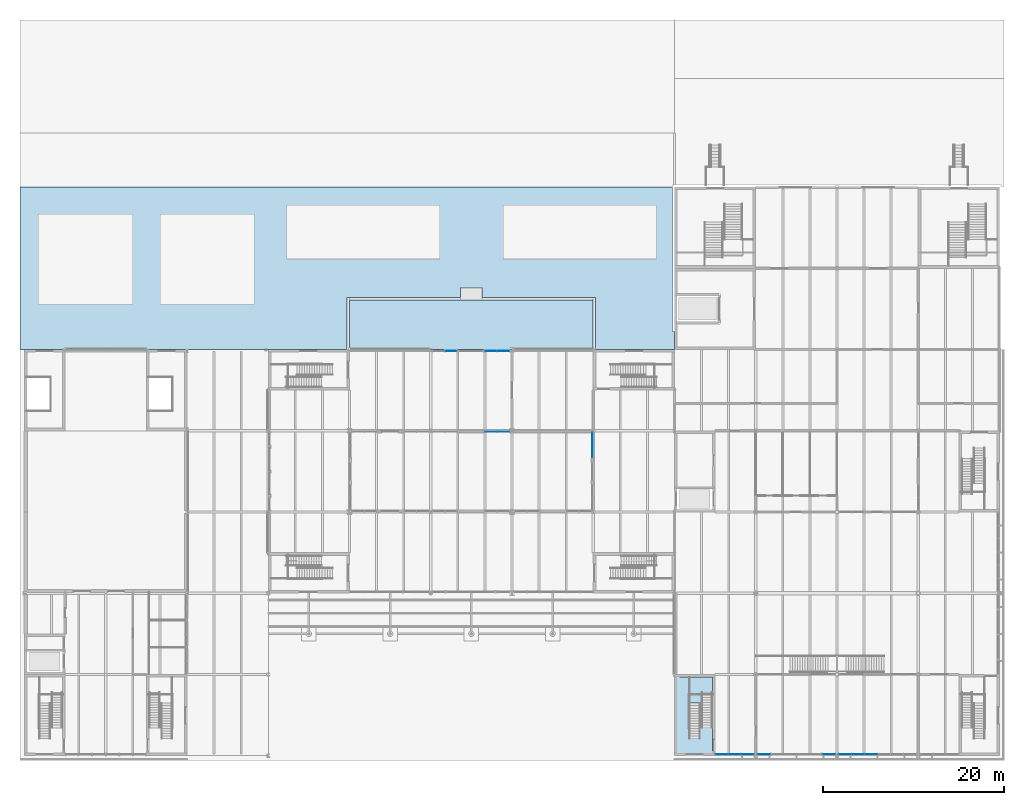
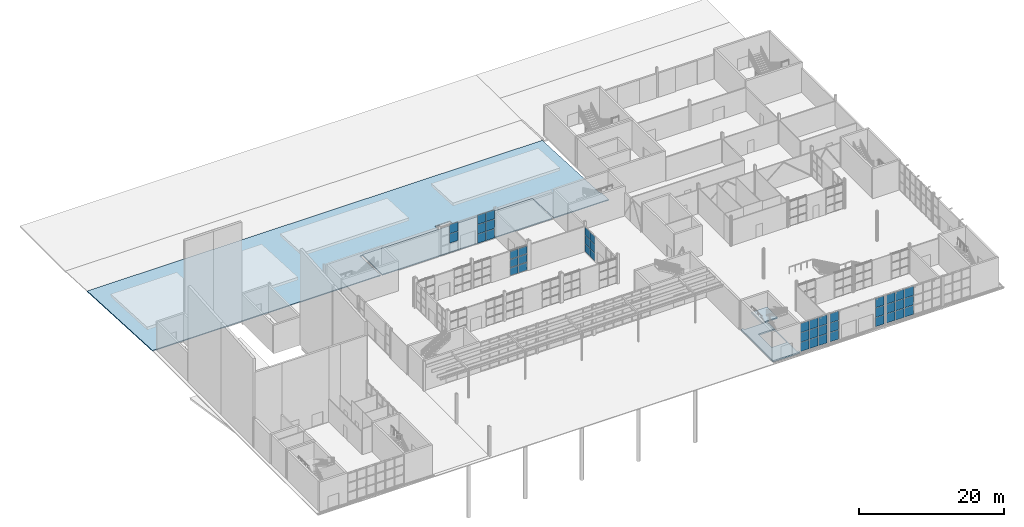
# One storey, part 32 of 63: 44 plates, 4 slabs, 9 elements without a shape of their own.
"""IFC4 building model written with IfcOpenShell, lengths in metres."""

from ifc_helpers import new_model, si_unit, direction, frame, origin, origin_2d, place, context, subcontext, project, spatial, polyline, rectangle, outline, extrude, material, layer, layer_set, type_object, element, aggregate, save


model = new_model("IFC4")

# Units and contexts
model_context = context("Model", 3, precision=1e-05, world=origin(), true_north=direction((0.0, 1.0)))
body_context = subcontext(model_context, "Body", "Model", "MODEL_VIEW")
ifc_project = project(units=[si_unit("LENGTHUNIT", "METRE"), si_unit("AREAUNIT", "SQUARE_METRE"), si_unit("VOLUMEUNIT", "CUBIC_METRE"), si_unit("PLANEANGLEUNIT", "RADIAN"), si_unit("MASSUNIT", "GRAM", prefix="KILO")], contexts=[model_context])

# Site, building, storey
site_placement = place(None, origin())
site = spatial("IfcSite", under=ifc_project, at=site_placement, CompositionType="ELEMENT")
building_placement = place(site_placement, origin())
building = spatial("IfcBuilding", under=site, at=building_placement, Name="Halyard Row Museum", CompositionType="ELEMENT")
storey_placement = place(building_placement, origin())
storey = spatial("IfcBuildingStorey", under=building, at=storey_placement, Name="L00", CompositionType="ELEMENT", Elevation=0.0)

# Slabs
ifc_material_1 = material(Name="Concrete 25 MPa", Category="concrete")
ifc_layer_1 = layer(ifc_material_1, 0.14990234375)
ifc_layer_set_1 = layer_set([ifc_layer_1], Name="Concrete 25 MPa")
slab_type_1 = type_object("IfcSlabType", Name="Cafe terrace slab 150", PredefinedType="BASESLAB", material=ifc_layer_set_1)
slab_1_placement = place(storey_placement, frame((0.0, 0.0, -0.14990234375)))
element("IfcSlab", 1, at=slab_1_placement, inside=storey, type_object=slab_type_1, Name="Cafe terrace slab", PredefinedType="BASESLAB", context=body_context, shape_type="SweptSolid", body=[
    extrude(outline(polyline([(36.0, 45.0), (63.0, 45.0), (63.0, 50.5), (36.0, 50.5), (36.0, 45.0)])), origin(), (0.0, 0.0, 1.0), 0.14990234375),
])
ifc_material_2 = material(Name="Concrete 40 MPa", Category="concrete")
ifc_layer_2 = layer(ifc_material_2, 0.25)
ifc_layer_set_2 = layer_set([ifc_layer_2], Name="Concrete 40 MPa")
slab_type_2 = type_object("IfcSlabType", Name="Core floor slab 250", PredefinedType="FLOOR", material=ifc_layer_set_2)
slab_2_placement = place(storey_placement, frame((0.0, 0.0, -0.25)))
element("IfcSlab", 2, at=slab_2_placement, inside=storey, type_object=slab_type_2, Name="Core floor K2A L00", PredefinedType="FLOOR", context=body_context, shape_type="SweptSolid", body=[
    extrude(outline(polyline([(76.199951171875, 0.550048828125), (76.199951171875, 8.699951171875), (72.550048828125, 8.699951171875), (72.550048828125, 8.9951171875), (72.199951171875, 8.9951171875), (72.199951171875, 0.199951171875), (76.4951171875, 0.199951171875), (76.4951171875, 0.550048828125), (76.199951171875, 0.550048828125)]), holes=[polyline([(73.653076171875, 6.737060546875), (76.197021484375, 6.737060546875), (76.197021484375, 3.10302734375), (73.653076171875, 3.10302734375), (73.653076171875, 6.737060546875)])]), origin(), (0.0, 0.0, 1.0), 0.25),
])

# Curtain wall, plates
ifc_material_3 = material(Name="Double glazed unit, low-emissivity", Category="glass")
ifc_layer_3 = layer(ifc_material_3, 0.199951171875)
ifc_layer_set_3 = layer_set([ifc_layer_3], Name="Double glazed unit, low-emissivity")
curtain_wall_type_1 = type_object("IfcCurtainWallType", Name="Curtain wall shopfront 200 deep", PredefinedType="NOTDEFINED", material=ifc_layer_set_3)
curtain_wall_1_placement = place(storey_placement, origin())
curtain_wall_1 = element("IfcCurtainWall", 3, at=curtain_wall_1_placement, inside=storey, type_object=curtain_wall_type_1, Name="Curtain wall CW009", PredefinedType="NOTDEFINED")
ifc_material_4 = material(Name="Double glazed unit, low-emissivity", Category="glass")
ifc_layer_4 = layer(ifc_material_4, 0.031982421875)
ifc_layer_set_4 = layer_set([ifc_layer_4], Name="Double glazed unit, low-emissivity")
plate_type_1 = type_object("IfcPlateType", Name="Curtain wall glazed panel CP1 32", PredefinedType="CURTAIN_PANEL", material=ifc_layer_set_4)
plate_1_placement = place(storey_placement, frame((53.03369140625, 44.85009765625, 0.06494140625), z_axis=(0.0, 0.0, 1.0), x_axis=(-1.0, 0.0, 0.0)))
plate_1 = element("IfcPlate", 4, at=plate_1_placement, type_object=plate_type_1, Name="CW009 panel 1.1", PredefinedType="CURTAIN_PANEL", context=body_context, shape_type="SweptSolid", body=[
    extrude(rectangle(XDim=1.302490234375, YDim=0.031982421875, at=origin_2d()), origin(), (0.0, 0.0, 1.0), 1.51416015625),
])
plate_2_placement = place(storey_placement, frame((53.03369140625, 44.85009765625, 1.64404296875), z_axis=(0.0, 0.0, 1.0), x_axis=(-1.0, 0.0, 0.0)))
plate_2 = element("IfcPlate", 5, at=plate_2_placement, type_object=plate_type_1, Name="CW009 panel 1.2", PredefinedType="CURTAIN_PANEL", context=body_context, shape_type="SweptSolid", body=[
    extrude(rectangle(XDim=1.302490234375, YDim=0.031982421875, at=origin_2d()), origin(), (0.0, 0.0, 1.0), 1.546630859375),
])
plate_3_placement = place(storey_placement, frame((53.03369140625, 44.85009765625, 3.255859375), z_axis=(0.0, 0.0, 1.0), x_axis=(-1.0, 0.0, 0.0)))
plate_3 = element("IfcPlate", 6, at=plate_3_placement, type_object=plate_type_1, Name="CW009 panel 1.3", PredefinedType="CURTAIN_PANEL", context=body_context, shape_type="SweptSolid", body=[
    extrude(rectangle(XDim=1.302490234375, YDim=0.031982421875, at=origin_2d()), origin(), (0.0, 0.0, 1.0), 1.51416015625),
])
plate_4_placement = place(storey_placement, frame((51.666259765625, 44.85009765625, 0.06494140625), z_axis=(0.0, 0.0, 1.0), x_axis=(-1.0, 0.0, 0.0)))
plate_4 = element("IfcPlate", 7, at=plate_4_placement, type_object=plate_type_1, Name="CW009 panel 2.1", PredefinedType="CURTAIN_PANEL", context=body_context, shape_type="SweptSolid", body=[
    extrude(rectangle(XDim=1.302490234375, YDim=0.031982421875, at=origin_2d()), origin(), (0.0, 0.0, 1.0), 1.51416015625),
])
plate_5_placement = place(storey_placement, frame((51.666259765625, 44.85009765625, 1.64404296875), z_axis=(0.0, 0.0, 1.0), x_axis=(-1.0, 0.0, 0.0)))
plate_5 = element("IfcPlate", 8, at=plate_5_placement, type_object=plate_type_1, Name="CW009 panel 2.2", PredefinedType="CURTAIN_PANEL", context=body_context, shape_type="SweptSolid", body=[
    extrude(rectangle(XDim=1.302490234375, YDim=0.031982421875, at=origin_2d()), origin(), (0.0, 0.0, 1.0), 1.546630859375),
])
plate_6_placement = place(storey_placement, frame((51.666259765625, 44.85009765625, 3.255859375), z_axis=(0.0, 0.0, 1.0), x_axis=(-1.0, 0.0, 0.0)))
plate_6 = element("IfcPlate", 9, at=plate_6_placement, type_object=plate_type_1, Name="CW009 panel 2.3", PredefinedType="CURTAIN_PANEL", context=body_context, shape_type="SweptSolid", body=[
    extrude(rectangle(XDim=1.302490234375, YDim=0.031982421875, at=origin_2d()), origin(), (0.0, 0.0, 1.0), 1.51416015625),
])
aggregate(curtain_wall_1, [plate_1, plate_2, plate_3, plate_4, plate_5, plate_6])

curtain_wall_2_placement = place(storey_placement, origin())
curtain_wall_2 = element("IfcCurtainWall", 10, at=curtain_wall_2_placement, inside=storey, type_object=curtain_wall_type_1, Name="Curtain wall CW010", PredefinedType="NOTDEFINED")
plate_7_placement = place(storey_placement, frame((47.233642578125, 44.85009765625, 1.64404296875), z_axis=(0.0, 0.0, 1.0), x_axis=(-1.0, 0.0, 0.0)))
plate_7 = element("IfcPlate", 11, at=plate_7_placement, type_object=plate_type_1, Name="CW010 panel 1.2", PredefinedType="CURTAIN_PANEL", context=body_context, shape_type="SweptSolid", body=[
    extrude(rectangle(XDim=1.302490234375, YDim=0.031982421875, at=origin_2d()), origin(), (0.0, 0.0, 1.0), 1.546630859375),
])
plate_8_placement = place(storey_placement, frame((47.233642578125, 44.85009765625, 3.255859375), z_axis=(0.0, 0.0, 1.0), x_axis=(-1.0, 0.0, 0.0)))
plate_8 = element("IfcPlate", 12, at=plate_8_placement, type_object=plate_type_1, Name="CW010 panel 1.3", PredefinedType="CURTAIN_PANEL", context=body_context, shape_type="SweptSolid", body=[
    extrude(rectangle(XDim=1.302490234375, YDim=0.031982421875, at=origin_2d()), origin(), (0.0, 0.0, 1.0), 1.51416015625),
])
aggregate(curtain_wall_2, [plate_7, plate_8])

ifc_material_5 = material(Name="Double glazed unit, low-emissivity", Category="glass")
ifc_layer_5 = layer(ifc_material_5, 0.179931640625)
ifc_layer_set_5 = layer_set([ifc_layer_5], Name="Double glazed unit, low-emissivity")
curtain_wall_type_2 = type_object("IfcCurtainWallType", Name="Curtain wall stick 180 deep", PredefinedType="NOTDEFINED", material=ifc_layer_set_5)
curtain_wall_3_placement = place(storey_placement, origin())
curtain_wall_3 = element("IfcCurtainWall", 13, at=curtain_wall_3_placement, inside=storey, type_object=curtain_wall_type_2, Name="Curtain wall CW133", PredefinedType="NOTDEFINED")
ifc_material_6 = material(Name="Double glazed unit, low-emissivity", Category="glass")
ifc_layer_6 = layer(ifc_material_6, 0.028076171875)
ifc_layer_set_6 = layer_set([ifc_layer_6], Name="Double glazed unit, low-emissivity")
plate_type_2 = type_object("IfcPlateType", Name="Curtain wall glazed panel CP2 28", PredefinedType="CURTAIN_PANEL", material=ifc_layer_set_6)
plate_9_placement = place(storey_placement, frame((51.666748046875, 35.89990234375, 0.06005859375), z_axis=(0.0, 0.0, 1.0), x_axis=(1.0, 0.0, 0.0)))
plate_9 = element("IfcPlate", 14, at=plate_9_placement, type_object=plate_type_2, Name="CW133 panel 1.1", PredefinedType="CURTAIN_PANEL", context=body_context, shape_type="SweptSolid", body=[
    extrude(rectangle(XDim=1.308837890625, YDim=0.028076171875, at=origin_2d()), origin(), (0.0, 0.0, 1.0), 1.3193359375),
])
plate_10_placement = place(storey_placement, frame((51.666748046875, 35.89990234375, 1.439453125), z_axis=(0.0, 0.0, 1.0), x_axis=(1.0, 0.0, 0.0)))
plate_10 = element("IfcPlate", 15, at=plate_10_placement, type_object=plate_type_2, Name="CW133 panel 1.2", PredefinedType="CURTAIN_PANEL", context=body_context, shape_type="SweptSolid", body=[
    extrude(rectangle(XDim=1.308837890625, YDim=0.028076171875, at=origin_2d()), origin(), (0.0, 0.0, 1.0), 1.349365234375),
])
plate_11_placement = place(storey_placement, frame((51.666748046875, 35.89990234375, 2.8486328125), z_axis=(0.0, 0.0, 1.0), x_axis=(1.0, 0.0, 0.0)))
plate_11 = element("IfcPlate", 16, at=plate_11_placement, type_object=plate_type_2, Name="CW133 panel 1.3", PredefinedType="CURTAIN_PANEL", context=body_context, shape_type="SweptSolid", body=[
    extrude(rectangle(XDim=1.308837890625, YDim=0.028076171875, at=origin_2d()), origin(), (0.0, 0.0, 1.0), 1.3193359375),
])
plate_12_placement = place(storey_placement, frame((53.03564453125, 35.89990234375, 0.06005859375), z_axis=(0.0, 0.0, 1.0), x_axis=(1.0, 0.0, 0.0)))
plate_12 = element("IfcPlate", 17, at=plate_12_placement, type_object=plate_type_2, Name="CW133 panel 2.1", PredefinedType="CURTAIN_PANEL", context=body_context, shape_type="SweptSolid", body=[
    extrude(rectangle(XDim=1.308837890625, YDim=0.028076171875, at=origin_2d()), origin(), (0.0, 0.0, 1.0), 1.3193359375),
])
plate_13_placement = place(storey_placement, frame((53.03564453125, 35.89990234375, 1.439453125), z_axis=(0.0, 0.0, 1.0), x_axis=(1.0, 0.0, 0.0)))
plate_13 = element("IfcPlate", 18, at=plate_13_placement, type_object=plate_type_2, Name="CW133 panel 2.2", PredefinedType="CURTAIN_PANEL", context=body_context, shape_type="SweptSolid", body=[
    extrude(rectangle(XDim=1.308837890625, YDim=0.028076171875, at=origin_2d()), origin(), (0.0, 0.0, 1.0), 1.349365234375),
])
plate_14_placement = place(storey_placement, frame((53.03564453125, 35.89990234375, 2.8486328125), z_axis=(0.0, 0.0, 1.0), x_axis=(1.0, 0.0, 0.0)))
plate_14 = element("IfcPlate", 19, at=plate_14_placement, type_object=plate_type_2, Name="CW133 panel 2.3", PredefinedType="CURTAIN_PANEL", context=body_context, shape_type="SweptSolid", body=[
    extrude(rectangle(XDim=1.308837890625, YDim=0.028076171875, at=origin_2d()), origin(), (0.0, 0.0, 1.0), 1.3193359375),
])
aggregate(curtain_wall_3, [plate_9, plate_10, plate_11, plate_12, plate_13, plate_14])

ifc_material_7 = material(Name="Double glazed unit, low-emissivity", Category="glass")
ifc_layer_7 = layer(ifc_material_7, 0.219970703125)
ifc_layer_set_7 = layer_set([ifc_layer_7], Name="Double glazed unit, low-emissivity")
curtain_wall_type_3 = type_object("IfcCurtainWallType", Name="Curtain wall unitised 220 deep", PredefinedType="NOTDEFINED", material=ifc_layer_set_7)
curtain_wall_4_placement = place(storey_placement, origin())
curtain_wall_4 = element("IfcCurtainWall", 20, at=curtain_wall_4_placement, inside=storey, type_object=curtain_wall_type_3, Name="Curtain wall CW001", PredefinedType="NOTDEFINED")
ifc_material_8 = material(Name="Double glazed unit, low-emissivity", Category="glass")
ifc_layer_8 = layer(ifc_material_8, 0.035888671875)
ifc_layer_set_8 = layer_set([ifc_layer_8], Name="Double glazed unit, low-emissivity")
plate_type_3 = type_object("IfcPlateType", Name="Curtain wall glazed panel CP3 36", PredefinedType="CURTAIN_PANEL", material=ifc_layer_set_8)
plate_15_placement = place(storey_placement, frame((77.23583984375, 0.159912109375, 0.06005859375), z_axis=(0.0, 0.0, 1.0), x_axis=(1.0, 0.0, 0.0)))
plate_15 = element("IfcPlate", 21, at=plate_15_placement, type_object=plate_type_3, Name="CW001 panel 1.1", PredefinedType="CURTAIN_PANEL", context=body_context, shape_type="SweptSolid", body=[
    extrude(rectangle(XDim=1.3515625, YDim=0.035888671875, at=origin_2d()), origin(), (0.0, 0.0, 1.0), 1.521728515625),
])
plate_16_placement = place(storey_placement, frame((77.23583984375, 0.159912109375, 1.6416015625), z_axis=(0.0, 0.0, 1.0), x_axis=(1.0, 0.0, 0.0)))
plate_16 = element("IfcPlate", 22, at=plate_16_placement, type_object=plate_type_3, Name="CW001 panel 1.2", PredefinedType="CURTAIN_PANEL", context=body_context, shape_type="SweptSolid", body=[
    extrude(rectangle(XDim=1.3515625, YDim=0.035888671875, at=origin_2d()), origin(), (0.0, 0.0, 1.0), 1.5517578125),
])
plate_17_placement = place(storey_placement, frame((77.23583984375, 0.159912109375, 3.25341796875), z_axis=(0.0, 0.0, 1.0), x_axis=(1.0, 0.0, 0.0)))
plate_17 = element("IfcPlate", 23, at=plate_17_placement, type_object=plate_type_3, Name="CW001 panel 1.3", PredefinedType="CURTAIN_PANEL", context=body_context, shape_type="SweptSolid", body=[
    extrude(rectangle(XDim=1.3515625, YDim=0.035888671875, at=origin_2d()), origin(), (0.0, 0.0, 1.0), 1.521728515625),
])
plate_18_placement = place(storey_placement, frame((78.66259765625, 0.159912109375, 0.06005859375), z_axis=(0.0, 0.0, 1.0), x_axis=(1.0, 0.0, 0.0)))
plate_18 = element("IfcPlate", 24, at=plate_18_placement, type_object=plate_type_3, Name="CW001 panel 2.1", PredefinedType="CURTAIN_PANEL", context=body_context, shape_type="SweptSolid", body=[
    extrude(rectangle(XDim=1.381591796875, YDim=0.035888671875, at=origin_2d()), origin(), (0.0, 0.0, 1.0), 1.521728515625),
])
plate_19_placement = place(storey_placement, frame((78.66259765625, 0.159912109375, 1.6416015625), z_axis=(0.0, 0.0, 1.0), x_axis=(1.0, 0.0, 0.0)))
plate_19 = element("IfcPlate", 25, at=plate_19_placement, type_object=plate_type_3, Name="CW001 panel 2.2", PredefinedType="CURTAIN_PANEL", context=body_context, shape_type="SweptSolid", body=[
    extrude(rectangle(XDim=1.381591796875, YDim=0.035888671875, at=origin_2d()), origin(), (0.0, 0.0, 1.0), 1.5517578125),
])
plate_20_placement = place(storey_placement, frame((78.66259765625, 0.159912109375, 3.25341796875), z_axis=(0.0, 0.0, 1.0), x_axis=(1.0, 0.0, 0.0)))
plate_20 = element("IfcPlate", 26, at=plate_20_placement, type_object=plate_type_3, Name="CW001 panel 2.3", PredefinedType="CURTAIN_PANEL", context=body_context, shape_type="SweptSolid", body=[
    extrude(rectangle(XDim=1.381591796875, YDim=0.035888671875, at=origin_2d()), origin(), (0.0, 0.0, 1.0), 1.521728515625),
])
plate_21_placement = place(storey_placement, frame((80.089111328125, 0.159912109375, 0.06005859375), z_axis=(0.0, 0.0, 1.0), x_axis=(1.0, 0.0, 0.0)))
plate_21 = element("IfcPlate", 27, at=plate_21_placement, type_object=plate_type_3, Name="CW001 panel 3.1", PredefinedType="CURTAIN_PANEL", context=body_context, shape_type="SweptSolid", body=[
    extrude(rectangle(XDim=1.3515625, YDim=0.035888671875, at=origin_2d()), origin(), (0.0, 0.0, 1.0), 1.521728515625),
])
plate_22_placement = place(storey_placement, frame((80.089111328125, 0.159912109375, 1.6416015625), z_axis=(0.0, 0.0, 1.0), x_axis=(1.0, 0.0, 0.0)))
plate_22 = element("IfcPlate", 28, at=plate_22_placement, type_object=plate_type_3, Name="CW001 panel 3.2", PredefinedType="CURTAIN_PANEL", context=body_context, shape_type="SweptSolid", body=[
    extrude(rectangle(XDim=1.3515625, YDim=0.035888671875, at=origin_2d()), origin(), (0.0, 0.0, 1.0), 1.5517578125),
])
plate_23_placement = place(storey_placement, frame((80.089111328125, 0.159912109375, 3.25341796875), z_axis=(0.0, 0.0, 1.0), x_axis=(1.0, 0.0, 0.0)))
plate_23 = element("IfcPlate", 29, at=plate_23_placement, type_object=plate_type_3, Name="CW001 panel 3.3", PredefinedType="CURTAIN_PANEL", context=body_context, shape_type="SweptSolid", body=[
    extrude(rectangle(XDim=1.3515625, YDim=0.035888671875, at=origin_2d()), origin(), (0.0, 0.0, 1.0), 1.521728515625),
])
aggregate(curtain_wall_4, [plate_15, plate_16, plate_17, plate_18, plate_19, plate_20, plate_21, plate_22, plate_23])

curtain_wall_5_placement = place(storey_placement, origin())
curtain_wall_5 = element("IfcCurtainWall", 30, at=curtain_wall_5_placement, inside=storey, type_object=curtain_wall_type_3, Name="Curtain wall CW002", PredefinedType="NOTDEFINED")
plate_24_placement = place(storey_placement, frame((81.918701171875, 0.159912109375, 0.06005859375), z_axis=(0.0, 0.0, 1.0), x_axis=(1.0, 0.0, 0.0)))
plate_24 = element("IfcPlate", 31, at=plate_24_placement, type_object=plate_type_3, Name="CW002 panel 1.1", PredefinedType="CURTAIN_PANEL", context=body_context, shape_type="SweptSolid", body=[
    extrude(rectangle(XDim=1.367431640625, YDim=0.035888671875, at=origin_2d()), origin(), (0.0, 0.0, 1.0), 1.521728515625),
])
plate_25_placement = place(storey_placement, frame((81.918701171875, 0.159912109375, 1.6416015625), z_axis=(0.0, 0.0, 1.0), x_axis=(1.0, 0.0, 0.0)))
plate_25 = element("IfcPlate", 32, at=plate_25_placement, type_object=plate_type_3, Name="CW002 panel 1.2", PredefinedType="CURTAIN_PANEL", context=body_context, shape_type="SweptSolid", body=[
    extrude(rectangle(XDim=1.367431640625, YDim=0.035888671875, at=origin_2d()), origin(), (0.0, 0.0, 1.0), 1.5517578125),
])
plate_26_placement = place(storey_placement, frame((81.918701171875, 0.159912109375, 3.25341796875), z_axis=(0.0, 0.0, 1.0), x_axis=(1.0, 0.0, 0.0)))
plate_26 = element("IfcPlate", 33, at=plate_26_placement, type_object=plate_type_3, Name="CW002 panel 1.3", PredefinedType="CURTAIN_PANEL", context=body_context, shape_type="SweptSolid", body=[
    extrude(rectangle(XDim=1.367431640625, YDim=0.035888671875, at=origin_2d()), origin(), (0.0, 0.0, 1.0), 1.521728515625),
])
aggregate(curtain_wall_5, [plate_24, plate_25, plate_26])

curtain_wall_6_placement = place(storey_placement, origin())
curtain_wall_6 = element("IfcCurtainWall", 34, at=curtain_wall_6_placement, inside=storey, type_object=curtain_wall_type_3, Name="Curtain wall CW003", PredefinedType="NOTDEFINED")
plate_27_placement = place(storey_placement, frame((89.106201171875, 0.159912109375, 0.06005859375), z_axis=(0.0, 0.0, 1.0), x_axis=(1.0, 0.0, 0.0)))
plate_27 = element("IfcPlate", 35, at=plate_27_placement, type_object=plate_type_3, Name="CW003 panel 1.1", PredefinedType="CURTAIN_PANEL", context=body_context, shape_type="SweptSolid", body=[
    extrude(rectangle(XDim=1.367431640625, YDim=0.035888671875, at=origin_2d()), origin(), (0.0, 0.0, 1.0), 1.521728515625),
])
plate_28_placement = place(storey_placement, frame((89.106201171875, 0.159912109375, 1.6416015625), z_axis=(0.0, 0.0, 1.0), x_axis=(1.0, 0.0, 0.0)))
plate_28 = element("IfcPlate", 36, at=plate_28_placement, type_object=plate_type_3, Name="CW003 panel 1.2", PredefinedType="CURTAIN_PANEL", context=body_context, shape_type="SweptSolid", body=[
    extrude(rectangle(XDim=1.367431640625, YDim=0.035888671875, at=origin_2d()), origin(), (0.0, 0.0, 1.0), 1.5517578125),
])
plate_29_placement = place(storey_placement, frame((89.106201171875, 0.159912109375, 3.25341796875), z_axis=(0.0, 0.0, 1.0), x_axis=(1.0, 0.0, 0.0)))
plate_29 = element("IfcPlate", 37, at=plate_29_placement, type_object=plate_type_3, Name="CW003 panel 1.3", PredefinedType="CURTAIN_PANEL", context=body_context, shape_type="SweptSolid", body=[
    extrude(rectangle(XDim=1.367431640625, YDim=0.035888671875, at=origin_2d()), origin(), (0.0, 0.0, 1.0), 1.521728515625),
])
aggregate(curtain_wall_6, [plate_27, plate_28, plate_29])

curtain_wall_7_placement = place(storey_placement, origin())
curtain_wall_7 = element("IfcCurtainWall", 38, at=curtain_wall_7_placement, inside=storey, type_object=curtain_wall_type_3, Name="Curtain wall CW004", PredefinedType="NOTDEFINED")
plate_30_placement = place(storey_placement, frame((90.887939453125, 0.159912109375, 0.06005859375), z_axis=(0.0, 0.0, 1.0), x_axis=(1.0, 0.0, 0.0)))
plate_30 = element("IfcPlate", 39, at=plate_30_placement, type_object=plate_type_3, Name="CW004 panel 1.1", PredefinedType="CURTAIN_PANEL", context=body_context, shape_type="SweptSolid", body=[
    extrude(rectangle(XDim=1.355712890625, YDim=0.035888671875, at=origin_2d()), origin(), (0.0, 0.0, 1.0), 1.521728515625),
])
plate_31_placement = place(storey_placement, frame((90.887939453125, 0.159912109375, 1.6416015625), z_axis=(0.0, 0.0, 1.0), x_axis=(1.0, 0.0, 0.0)))
plate_31 = element("IfcPlate", 40, at=plate_31_placement, type_object=plate_type_3, Name="CW004 panel 1.2", PredefinedType="CURTAIN_PANEL", context=body_context, shape_type="SweptSolid", body=[
    extrude(rectangle(XDim=1.355712890625, YDim=0.035888671875, at=origin_2d()), origin(), (0.0, 0.0, 1.0), 1.5517578125),
])
plate_32_placement = place(storey_placement, frame((90.887939453125, 0.159912109375, 3.25341796875), z_axis=(0.0, 0.0, 1.0), x_axis=(1.0, 0.0, 0.0)))
plate_32 = element("IfcPlate", 41, at=plate_32_placement, type_object=plate_type_3, Name="CW004 panel 1.3", PredefinedType="CURTAIN_PANEL", context=body_context, shape_type="SweptSolid", body=[
    extrude(rectangle(XDim=1.355712890625, YDim=0.035888671875, at=origin_2d()), origin(), (0.0, 0.0, 1.0), 1.521728515625),
])
plate_33_placement = place(storey_placement, frame((92.31884765625, 0.159912109375, 0.06005859375), z_axis=(0.0, 0.0, 1.0), x_axis=(1.0, 0.0, 0.0)))
plate_33 = element("IfcPlate", 42, at=plate_33_placement, type_object=plate_type_3, Name="CW004 panel 2.1", PredefinedType="CURTAIN_PANEL", context=body_context, shape_type="SweptSolid", body=[
    extrude(rectangle(XDim=1.3857421875, YDim=0.035888671875, at=origin_2d()), origin(), (0.0, 0.0, 1.0), 1.521728515625),
])
plate_34_placement = place(storey_placement, frame((92.31884765625, 0.159912109375, 1.6416015625), z_axis=(0.0, 0.0, 1.0), x_axis=(1.0, 0.0, 0.0)))
plate_34 = element("IfcPlate", 43, at=plate_34_placement, type_object=plate_type_3, Name="CW004 panel 2.2", PredefinedType="CURTAIN_PANEL", context=body_context, shape_type="SweptSolid", body=[
    extrude(rectangle(XDim=1.3857421875, YDim=0.035888671875, at=origin_2d()), origin(), (0.0, 0.0, 1.0), 1.5517578125),
])
plate_35_placement = place(storey_placement, frame((92.31884765625, 0.159912109375, 3.25341796875), z_axis=(0.0, 0.0, 1.0), x_axis=(1.0, 0.0, 0.0)))
plate_35 = element("IfcPlate", 44, at=plate_35_placement, type_object=plate_type_3, Name="CW004 panel 2.3", PredefinedType="CURTAIN_PANEL", context=body_context, shape_type="SweptSolid", body=[
    extrude(rectangle(XDim=1.3857421875, YDim=0.035888671875, at=origin_2d()), origin(), (0.0, 0.0, 1.0), 1.521728515625),
])
plate_36_placement = place(storey_placement, frame((93.7646484375, 0.159912109375, 0.06005859375), z_axis=(0.0, 0.0, 1.0), x_axis=(1.0, 0.0, 0.0)))
plate_36 = element("IfcPlate", 45, at=plate_36_placement, type_object=plate_type_3, Name="CW004 panel 3.1", PredefinedType="CURTAIN_PANEL", context=body_context, shape_type="SweptSolid", body=[
    extrude(rectangle(XDim=1.3857421875, YDim=0.035888671875, at=origin_2d()), origin(), (0.0, 0.0, 1.0), 1.521728515625),
])
plate_37_placement = place(storey_placement, frame((93.7646484375, 0.159912109375, 1.6416015625), z_axis=(0.0, 0.0, 1.0), x_axis=(1.0, 0.0, 0.0)))
plate_37 = element("IfcPlate", 46, at=plate_37_placement, type_object=plate_type_3, Name="CW004 panel 3.2", PredefinedType="CURTAIN_PANEL", context=body_context, shape_type="SweptSolid", body=[
    extrude(rectangle(XDim=1.3857421875, YDim=0.035888671875, at=origin_2d()), origin(), (0.0, 0.0, 1.0), 1.5517578125),
])
plate_38_placement = place(storey_placement, frame((93.7646484375, 0.159912109375, 3.25341796875), z_axis=(0.0, 0.0, 1.0), x_axis=(1.0, 0.0, 0.0)))
plate_38 = element("IfcPlate", 47, at=plate_38_placement, type_object=plate_type_3, Name="CW004 panel 3.3", PredefinedType="CURTAIN_PANEL", context=body_context, shape_type="SweptSolid", body=[
    extrude(rectangle(XDim=1.3857421875, YDim=0.035888671875, at=origin_2d()), origin(), (0.0, 0.0, 1.0), 1.521728515625),
])
aggregate(curtain_wall_7, [plate_30, plate_31, plate_32, plate_33, plate_34, plate_35, plate_36, plate_37, plate_38])

ifc_material_9 = material(Name="Fire-resisting laminated glazing", Category="glass")
ifc_layer_9 = layer(ifc_material_9, 0.159912109375)
ifc_layer_set_9 = layer_set([ifc_layer_9], Name="Fire-resisting laminated glazing")
curtain_wall_type_4 = type_object("IfcCurtainWallType", Name="Curtain wall atrium screen 160 deep", PredefinedType="NOTDEFINED", material=ifc_layer_set_9)
curtain_wall_8_placement = place(storey_placement, origin())
curtain_wall_8 = element("IfcCurtainWall", 48, at=curtain_wall_8_placement, inside=storey, type_object=curtain_wall_type_4, Name="Curtain wall CW129", PredefinedType="NOTDEFINED")
ifc_material_10 = material(Name="Fire-resisting laminated glazing", Category="glass")
ifc_layer_10 = layer(ifc_material_10, 0.0400390625)
ifc_layer_set_10 = layer_set([ifc_layer_10], Name="Fire-resisting laminated glazing")
plate_type_4 = type_object("IfcPlateType", Name="Curtain wall glazed panel CP5 40", PredefinedType="CURTAIN_PANEL", material=ifc_layer_set_10)
plate_39_placement = place(storey_placement, frame((62.89990234375, 33.72412109375, 0.06005859375), z_axis=(0.0, 0.0, 1.0), x_axis=(0.0, 1.0, 0.0)))
plate_39 = element("IfcPlate", 49, at=plate_39_placement, type_object=plate_type_4, Name="CW129 panel 1.1", PredefinedType="CURTAIN_PANEL", context=body_context, shape_type="SweptSolid", body=[
    extrude(rectangle(XDim=1.328125, YDim=0.0400390625, at=origin_2d()), origin(), (0.0, 0.0, 1.0), 1.3193359375),
])
plate_40_placement = place(storey_placement, frame((62.89990234375, 33.72412109375, 1.439453125), z_axis=(0.0, 0.0, 1.0), x_axis=(0.0, 1.0, 0.0)))
plate_40 = element("IfcPlate", 50, at=plate_40_placement, type_object=plate_type_4, Name="CW129 panel 1.2", PredefinedType="CURTAIN_PANEL", context=body_context, shape_type="SweptSolid", body=[
    extrude(rectangle(XDim=1.328125, YDim=0.0400390625, at=origin_2d()), origin(), (0.0, 0.0, 1.0), 1.349365234375),
])
plate_41_placement = place(storey_placement, frame((62.89990234375, 33.72412109375, 2.8486328125), z_axis=(0.0, 0.0, 1.0), x_axis=(0.0, 1.0, 0.0)))
plate_41 = element("IfcPlate", 51, at=plate_41_placement, type_object=plate_type_4, Name="CW129 panel 1.3", PredefinedType="CURTAIN_PANEL", context=body_context, shape_type="SweptSolid", body=[
    extrude(rectangle(XDim=1.328125, YDim=0.0400390625, at=origin_2d()), origin(), (0.0, 0.0, 1.0), 1.3193359375),
])
plate_42_placement = place(storey_placement, frame((62.89990234375, 35.1123046875, 0.06005859375), z_axis=(0.0, 0.0, 1.0), x_axis=(0.0, 1.0, 0.0)))
plate_42 = element("IfcPlate", 52, at=plate_42_placement, type_object=plate_type_4, Name="CW129 panel 2.1", PredefinedType="CURTAIN_PANEL", context=body_context, shape_type="SweptSolid", body=[
    extrude(rectangle(XDim=1.328125, YDim=0.0400390625, at=origin_2d()), origin(), (0.0, 0.0, 1.0), 1.3193359375),
])
plate_43_placement = place(storey_placement, frame((62.89990234375, 35.1123046875, 1.439453125), z_axis=(0.0, 0.0, 1.0), x_axis=(0.0, 1.0, 0.0)))
plate_43 = element("IfcPlate", 53, at=plate_43_placement, type_object=plate_type_4, Name="CW129 panel 2.2", PredefinedType="CURTAIN_PANEL", context=body_context, shape_type="SweptSolid", body=[
    extrude(rectangle(XDim=1.328125, YDim=0.0400390625, at=origin_2d()), origin(), (0.0, 0.0, 1.0), 1.349365234375),
])
plate_44_placement = place(storey_placement, frame((62.89990234375, 35.1123046875, 2.8486328125), z_axis=(0.0, 0.0, 1.0), x_axis=(0.0, 1.0, 0.0)))
plate_44 = element("IfcPlate", 54, at=plate_44_placement, type_object=plate_type_4, Name="CW129 panel 2.3", PredefinedType="CURTAIN_PANEL", context=body_context, shape_type="SweptSolid", body=[
    extrude(rectangle(XDim=1.328125, YDim=0.0400390625, at=origin_2d()), origin(), (0.0, 0.0, 1.0), 1.3193359375),
])
aggregate(curtain_wall_8, [plate_39, plate_40, plate_41, plate_42, plate_43, plate_44])

# Stair, slab
ifc_material_11 = material(Name="Concrete 40 MPa", Category="concrete")
stair_type = type_object("IfcStairType", Name="Exit stair two flights 1200", PredefinedType="HALF_TURN_STAIR", material=ifc_material_11)
stair_placement = place(storey_placement, origin())
stair = element("IfcStair", 55, at=stair_placement, inside=storey, type_object=stair_type, Name="Exit stair K2A L00", PredefinedType="HALF_TURN_STAIR")
ifc_material_12 = material(Name="Concrete 40 MPa", Category="concrete")
ifc_layer_11 = layer(ifc_material_12, 0.199951171875)
ifc_layer_set_11 = layer_set([ifc_layer_11], Name="Concrete 40 MPa")
slab_type_3 = type_object("IfcSlabType", Name="Exit stair landing 200", PredefinedType="LANDING", material=ifc_layer_set_11)
slab_3_placement = place(storey_placement, frame((0.0, 0.0, 2.300048828125)))
slab_3 = element("IfcSlab", 56, at=slab_3_placement, type_object=slab_type_3, Name="STK2A-L00 landing 1", PredefinedType="LANDING", context=body_context, shape_type="SweptSolid", body=[
    extrude(outline(polyline([(73.64990234375, 5.820068359375), (76.199951171875, 5.820068359375), (76.199951171875, 8.699951171875), (73.64990234375, 8.699951171875), (73.64990234375, 5.820068359375)])), origin(), (0.0, 0.0, 1.0), 0.199951171875),
])
aggregate(stair, [slab_3])

# Slab
ifc_material_13 = material(Name="Concrete 25 MPa", Category="concrete")
ifc_layer_12 = layer(ifc_material_13, 0.14990234375)
ifc_layer_set_12 = layer_set([ifc_layer_12], Name="Concrete 25 MPa")
slab_type_4 = type_object("IfcSlabType", Name="Site paving slab 150", PredefinedType="BASESLAB", material=ifc_layer_set_12)
slab_4_placement = place(storey_placement, frame((72.0, 45.014892578125, -0.000732421875), z_axis=(9.39546e-07, 0.049929752942, 0.998752732046), x_axis=(-1.0, 4.6911e-08, 9.38375e-07)))
element("IfcSlab", 57, at=slab_4_placement, inside=storey, type_object=slab_type_4, Name="Garden court paving", PredefinedType="BASESLAB", context=body_context, shape_type="SweptSolid", body=[
    extrude(outline(polyline([(0.0, 0.0), (8.749999999996138, 0.0), (8.749999999850566, -5.742277316460114), (21.300048827970027, -5.742277316460114), (21.300048828030604, -6.8437455794033), (23.699951171779546, -6.8437455794033), (23.69995117171897, -5.742277316460114), (36.24999999983843, -5.742277316460114), (36.249999999984006, 0.0), (72.49999999996801, 0.0), (72.49999999991499, -18.00757050580677), (0.19995117182187827, -18.00757050580677), (0.19995117175711505, -1.987592742607606), (-1.1779673369529606e-10, -1.987592742607606), (0.0, 0.0)])), origin(), (0.0, 0.0, -1.0), 0.14990234375),
])

save(model, "model.ifc")
